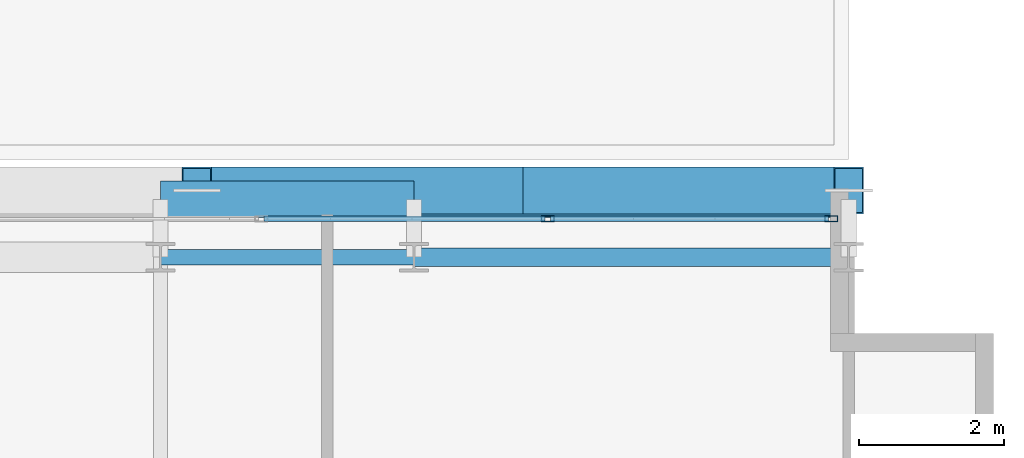
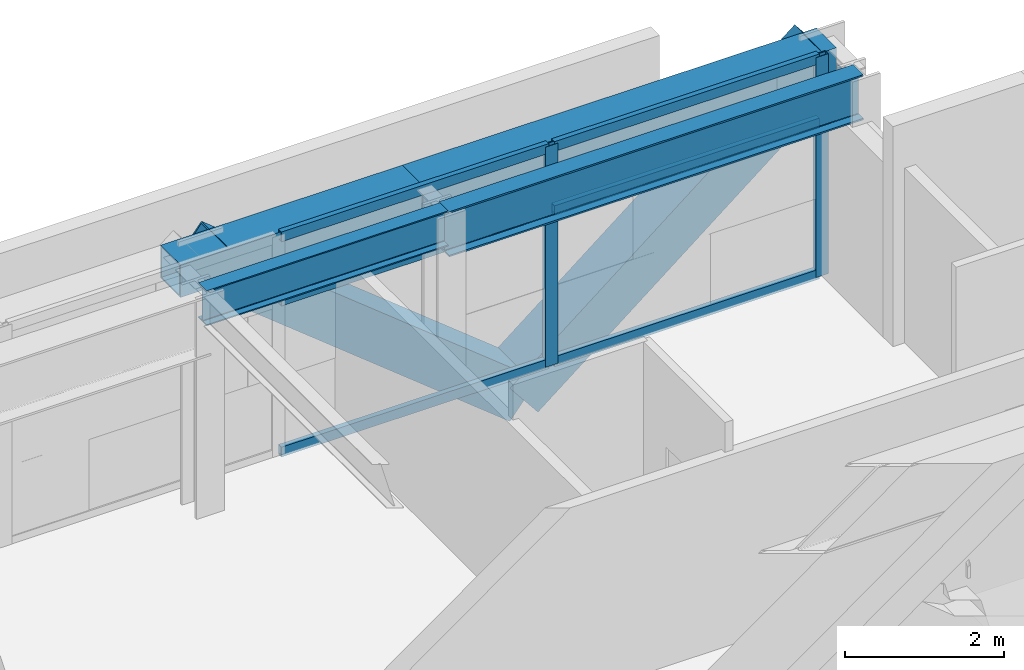
# One storey, part 21 of 34: 10 members, 4 beams, 1 element without a shape of its own.
"""IFC4 building model written with IfcOpenShell, lengths in metres."""

from ifc_helpers import new_model, si_unit, direction, frame, origin, origin_2d, place, context, subcontext, project, spatial, hollow_rectangle, i_section, extrude, source, transform, mapped, material, layer, layer_set, material_profile, profile_set, type_object, element, aggregate, save


model = new_model("IFC4")

# Units and contexts
model_context = context("Model", 3, precision=1e-05, world=origin(), true_north=direction((0.0, 1.0)))
body_context = subcontext(model_context, "Body", "Model", "MODEL_VIEW")
ifc_project = project(units=[si_unit("LENGTHUNIT", "METRE"), si_unit("AREAUNIT", "SQUARE_METRE"), si_unit("VOLUMEUNIT", "CUBIC_METRE"), si_unit("PLANEANGLEUNIT", "RADIAN"), si_unit("MASSUNIT", "GRAM", prefix="KILO")], contexts=[model_context])

# Site, building, storey
site_placement = place(None, origin())
site = spatial("IfcSite", under=ifc_project, at=site_placement, CompositionType="ELEMENT")
building_placement = place(site_placement, origin())
building = spatial("IfcBuilding", under=site, at=building_placement, Name="Ocotamira Hotel", CompositionType="ELEMENT")
storey_placement = place(building_placement, frame((0.0, 0.0, 163.199951171875)))
storey = spatial("IfcBuildingStorey", under=building, at=storey_placement, Name="L40", CompositionType="ELEMENT", Elevation=163.199951171875)

# Beams
ifc_material_1 = material(Name="Steel ASTM A992 Grade 50", Category="steel")
ifc_material_profile_1 = material_profile(ifc_material_1, i_section(OverallWidth=0.256103515625, OverallDepth=0.693115234375, WebThickness=0.014404296875, FlangeThickness=0.023681640625, FilletRadius=0.01611328125, at=origin_2d()), Name="W27X114")
ifc_profile_set_1 = profile_set([ifc_material_profile_1], Name="Steel ASTM A992 Grade 50")
beam_type_1 = type_object("IfcBeamType", Name="BM-PRIM-W27X114", PredefinedType="BEAM", material=ifc_profile_set_1)
shared_shape_1 = source(origin(), body_context, "Body", "SweptSolid", [
    extrude(i_section(OverallWidth=0.256103515625, OverallDepth=0.693115234375, WebThickness=0.014404296875, FlangeThickness=0.023681640625, FilletRadius=0.01611328125, at=origin_2d()), origin(), (0.0, 0.0, 1.0), 6.0),
])
beam_1_placement = place(storey_placement, frame((44.0, 45.050048828125, 3.0234375), z_axis=(1.0, 0.0, 0.0), x_axis=(0.0, 1.0, 0.0)))
element("IfcBeam", 1, at=beam_1_placement, inside=storey, type_object=beam_type_1, Name="L40 Girder Y45.05 X44-50", PredefinedType="BEAM", context=body_context, shape_type="MappedRepresentation", body=[
    mapped(shared_shape_1, transform((0.0, 0.0, 0.0), scale=1.0)),
])
ifc_material_profile_2 = material_profile(ifc_material_1, i_section(OverallWidth=0.2099609375, OverallDepth=0.537109375, WebThickness=0.010986328125, FlangeThickness=0.017333984375, FilletRadius=0.012939453125, at=origin_2d()), Name="W21X68")
ifc_profile_set_2 = profile_set([ifc_material_profile_2], Name="Steel ASTM A992 Grade 50")
beam_type_2 = type_object("IfcBeamType", Name="BM-SEC-W21X68", PredefinedType="JOIST", material=ifc_profile_set_2)
shared_shape_2 = source(origin(), body_context, "Body", "SweptSolid", [
    extrude(i_section(OverallWidth=0.2099609375, OverallDepth=0.537109375, WebThickness=0.010986328125, FlangeThickness=0.017333984375, FilletRadius=0.012939453125, at=origin_2d()), origin(), (0.0, 0.0, 1.0), 3.5),
])
beam_2_placement = place(storey_placement, frame((40.5, 45.050048828125, 3.1015625), z_axis=(1.0, 0.0, 0.0), x_axis=(0.0, 1.0, 0.0)))
element("IfcBeam", 2, at=beam_2_placement, inside=storey, type_object=beam_type_2, Name="L40 Girder Y45.05 X40.5-44", PredefinedType="JOIST", context=body_context, shape_type="MappedRepresentation", body=[
    mapped(shared_shape_2, transform((0.0, 0.0, 0.0), scale=1.0)),
])
ifc_material_2 = material(Name="Steel ASTM A500 Grade C", Category="steel")
ifc_material_profile_3 = material_profile(ifc_material_2, hollow_rectangle(XDim=0.5, YDim=0.5, WallThickness=0.02001953125, at=origin_2d()), Name="HSS500X500X20")
ifc_profile_set_3 = profile_set([ifc_material_profile_3], Name="Steel ASTM A500 Grade C")
beam_type_3 = type_object("IfcBeamType", Name="BM-SPAN-HSS500", PredefinedType="USERDEFINED", material=ifc_profile_set_3)
shared_shape_3 = source(origin(), body_context, "Body", "SweptSolid", [
    extrude(hollow_rectangle(XDim=0.5, YDim=0.5, WallThickness=0.02001953125, at=origin_2d()), origin(), (0.0, 0.0, 1.0), 6.0),
])
beam_3_placement = place(storey_placement, frame((44.0, 45.85009765625, 3.1201171875), z_axis=(1.0, 0.0, 0.0), x_axis=(0.0, 1.0, 0.0)))
element("IfcBeam", 3, at=beam_3_placement, inside=storey, type_object=beam_type_3, Name="L40 Edge Spandrel N X44-50", ObjectType="SPANDREL", PredefinedType="USERDEFINED", context=body_context, shape_type="MappedRepresentation", body=[
    mapped(shared_shape_3, transform((0.0, 0.0, 0.0), scale=1.0)),
])
shared_shape_4 = source(origin(), body_context, "Body", "SweptSolid", [
    extrude(hollow_rectangle(XDim=0.5, YDim=0.5, WallThickness=0.02001953125, at=origin_2d()), origin(), (0.0, 0.0, 1.0), 3.5),
])
beam_4_placement = place(storey_placement, frame((40.5, 45.85009765625, 3.1201171875), z_axis=(1.0, 0.0, 0.0), x_axis=(0.0, 1.0, 0.0)))
element("IfcBeam", 4, at=beam_4_placement, inside=storey, type_object=beam_type_3, Name="L40 Edge Spandrel N X40.5-44", ObjectType="SPANDREL", PredefinedType="USERDEFINED", context=body_context, shape_type="MappedRepresentation", body=[
    mapped(shared_shape_4, transform((0.0, 0.0, 0.0), scale=1.0)),
])

# Members
ifc_material_3 = material(Name="Pale-metal coated steel ASTM A913 Grade 65", Category="steel")
ifc_material_profile_4 = material_profile(ifc_material_3, hollow_rectangle(XDim=0.64990234375, YDim=0.64990234375, WallThickness=0.02197265625, at=origin_2d()), Name="BOX650X650X22")
ifc_profile_set_4 = profile_set([ifc_material_profile_4], Name="Pale-metal coated steel ASTM A913 Grade 65")
member_type_1 = type_object("IfcMemberType", Name="MEM-EXO-BOX650", PredefinedType="BRACE", material=ifc_profile_set_4)
shared_shape_5 = source(origin(), body_context, "Body", "SweptSolid", [
    extrude(hollow_rectangle(XDim=0.64990234375, YDim=0.64990234375, WallThickness=0.02197265625, at=origin_2d()), origin(), (0.0, 0.0, 1.0), 5.762939453125),
])
for number, where, z_axis, x_axis, name in (
    (5, (45.5, 45.969970703125, -0.47998046875), (-0.780860543151, 0.0, 0.624705380279), (0.0, -1.0, 0.0), "L40 Exoskeleton Diagrid N3.1"),
    (6, (45.5, 45.969970703125, -0.47998046875), (0.780860543151, 0.0, 0.624705380279), (0.0, 1.0, 0.0), "L40 Exoskeleton Diagrid N3.2"),
):
    element("IfcMember", number, at=place(storey_placement, frame(where, z_axis=z_axis, x_axis=x_axis)), inside=storey, type_object=member_type_1, Name=name, PredefinedType="BRACE", context=body_context, shape_type="MappedRepresentation", body=[
        mapped(shared_shape_5, transform((0.0, 0.0, 0.0), scale=1.0)),
    ])

# Curtain wall, members
ifc_material_4 = material(Name="Anodised pale-metal aluminium and solar glass", Category="aluminium")
ifc_layer = layer(ifc_material_4, 0.199951171875)
ifc_layer_set = layer_set([ifc_layer], Name="Anodised pale-metal aluminium and solar glass")
curtain_wall_type = type_object("IfcCurtainWallType", Name="CW-SYS4-Z3", PredefinedType="NOTDEFINED", material=ifc_layer_set)
curtain_wall_placement = place(storey_placement, origin())
curtain_wall = element("IfcCurtainWall", 7, at=curtain_wall_placement, inside=storey, type_object=curtain_wall_type, Name="L40 Curtain Wall CW-4 CW-L40-N", PredefinedType="NOTDEFINED")
ifc_material_5 = material(Name="Anodised pale-metal aluminium 6063-T6", Category="aluminium")
ifc_material_profile_5 = material_profile(ifc_material_5, hollow_rectangle(XDim=0.074951171875, YDim=0.14990234375, WallThickness=0.006103515625, at=origin_2d()), Name="HSS150X75X6")
ifc_profile_set_5 = profile_set([ifc_material_profile_5], Name="Anodised pale-metal aluminium 6063-T6")
member_type_2 = type_object("IfcMemberType", Name="CWT-150X75", PredefinedType="USERDEFINED", material=ifc_profile_set_5)
shared_shape_6 = source(origin(), body_context, "Body", "SweptSolid", [
    extrude(hollow_rectangle(XDim=0.074951171875, YDim=0.14990234375, WallThickness=0.006103515625, at=origin_2d()), origin(), (0.0, 0.0, 1.0), 3.83544921875),
])
member_1_placement = place(storey_placement, frame((45.884521484375, 45.580078125, 0.03759765625), z_axis=(1.0, 0.0, 0.0), x_axis=(0.0, 1.0, 0.0)))
member_1 = element("IfcMember", 8, at=member_1_placement, type_object=member_type_2, Name="CW-4 transom 9.1", ObjectType="TRANSOM", PredefinedType="USERDEFINED", context=body_context, shape_type="MappedRepresentation", body=[
    mapped(shared_shape_6, transform((0.0, 0.0, 0.0), scale=1.0)),
])
member_2_placement = place(storey_placement, frame((45.884521484375, 45.580078125, 2.35009765625), z_axis=(1.0, 0.0, 0.0), x_axis=(0.0, 1.0, 0.0)))
member_2 = element("IfcMember", 9, at=member_2_placement, type_object=member_type_2, Name="CW-4 transom 9.2", ObjectType="TRANSOM", PredefinedType="USERDEFINED", context=body_context, shape_type="MappedRepresentation", body=[
    mapped(shared_shape_6, transform((0.0, 0.0, 0.0), scale=1.0)),
])
member_3_placement = place(storey_placement, frame((45.884521484375, 45.580078125, 3.33251953125), z_axis=(1.0, 0.0, 0.0), x_axis=(0.0, 1.0, 0.0)))
member_3 = element("IfcMember", 10, at=member_3_placement, type_object=member_type_2, Name="CW-4 transom 9.3", ObjectType="TRANSOM", PredefinedType="USERDEFINED", context=body_context, shape_type="MappedRepresentation", body=[
    mapped(shared_shape_6, transform((0.0, 0.0, 0.0), scale=1.0)),
])
shared_shape_7 = source(origin(), body_context, "Body", "SweptSolid", [
    extrude(hollow_rectangle(XDim=0.074951171875, YDim=0.14990234375, WallThickness=0.006103515625, at=origin_2d()), origin(), (0.0, 0.0, 1.0), 3.87548828125),
])
member_4_placement = place(storey_placement, frame((41.928955078125, 45.580078125, 0.03759765625), z_axis=(1.0, 0.0, 0.0), x_axis=(0.0, 1.0, 0.0)))
member_4 = element("IfcMember", 11, at=member_4_placement, type_object=member_type_2, Name="CW-4 transom 8.1", ObjectType="TRANSOM", PredefinedType="USERDEFINED", context=body_context, shape_type="MappedRepresentation", body=[
    mapped(shared_shape_7, transform((0.0, 0.0, 0.0), scale=1.0)),
])
member_5_placement = place(storey_placement, frame((41.928955078125, 45.580078125, 2.35009765625), z_axis=(1.0, 0.0, 0.0), x_axis=(0.0, 1.0, 0.0)))
member_5 = element("IfcMember", 12, at=member_5_placement, type_object=member_type_2, Name="CW-4 transom 8.2", ObjectType="TRANSOM", PredefinedType="USERDEFINED", context=body_context, shape_type="MappedRepresentation", body=[
    mapped(shared_shape_7, transform((0.0, 0.0, 0.0), scale=1.0)),
])
member_6_placement = place(storey_placement, frame((41.928955078125, 45.580078125, 3.33251953125), z_axis=(1.0, 0.0, 0.0), x_axis=(0.0, 1.0, 0.0)))
member_6 = element("IfcMember", 13, at=member_6_placement, type_object=member_type_2, Name="CW-4 transom 8.3", ObjectType="TRANSOM", PredefinedType="USERDEFINED", context=body_context, shape_type="MappedRepresentation", body=[
    mapped(shared_shape_7, transform((0.0, 0.0, 0.0), scale=1.0)),
])
ifc_material_profile_6 = material_profile(ifc_material_5, hollow_rectangle(XDim=0.080078125, YDim=0.179931640625, WallThickness=0.006103515625, at=origin_2d()), Name="HSS180X80X6")
ifc_profile_set_6 = profile_set([ifc_material_profile_6], Name="Anodised pale-metal aluminium 6063-T6")
member_type_3 = type_object("IfcMemberType", Name="CWM-180X75", PredefinedType="MULLION", material=ifc_profile_set_6)
shared_shape_8 = source(origin(), body_context, "Body", "SweptSolid", [
    extrude(hollow_rectangle(XDim=0.080078125, YDim=0.179931640625, WallThickness=0.006103515625, at=origin_2d()), origin(), (0.0, 0.0, 1.0), 3.3701171875),
])
member_7_placement = place(storey_placement, frame((45.844482421875, 45.580078125, 0.0), z_axis=(0.0, 0.0, 1.0), x_axis=(0.0, 1.0, 0.0)))
member_7 = element("IfcMember", 14, at=member_7_placement, type_object=member_type_3, Name="CW-4 mullion 9", PredefinedType="MULLION", context=body_context, shape_type="MappedRepresentation", body=[
    mapped(shared_shape_8, transform((0.0, 0.0, 0.0), scale=1.0)),
])
member_8_placement = place(storey_placement, frame((49.760009765625, 45.580078125, 0.0), z_axis=(0.0, 0.0, 1.0), x_axis=(0.0, 1.0, 0.0)))
member_8 = element("IfcMember", 15, at=member_8_placement, type_object=member_type_3, Name="CW-4 mullion 10", PredefinedType="MULLION", context=body_context, shape_type="MappedRepresentation", body=[
    mapped(shared_shape_8, transform((0.0, 0.0, 0.0), scale=1.0)),
])
aggregate(curtain_wall, [member_7, member_8, member_4, member_5, member_6, member_1, member_2, member_3])

save(model, "model.ifc")
